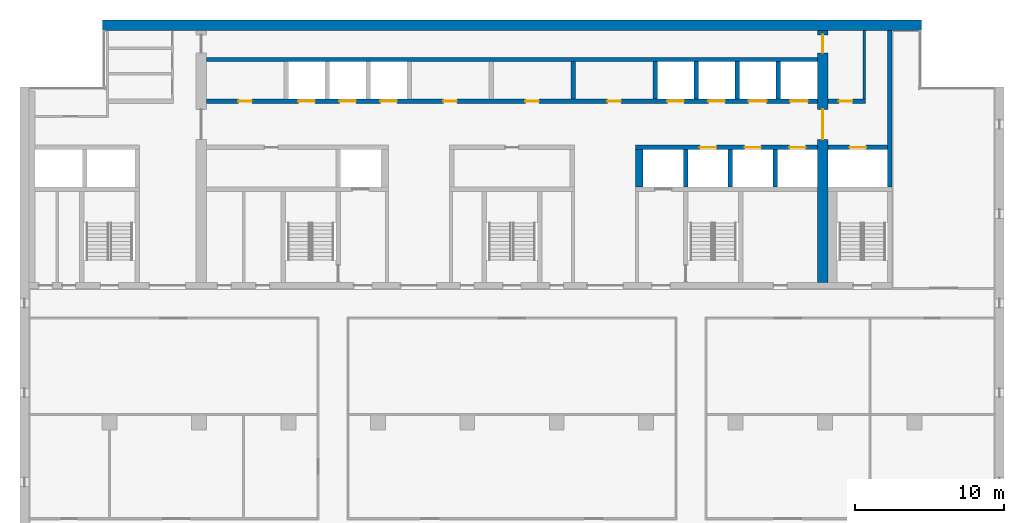
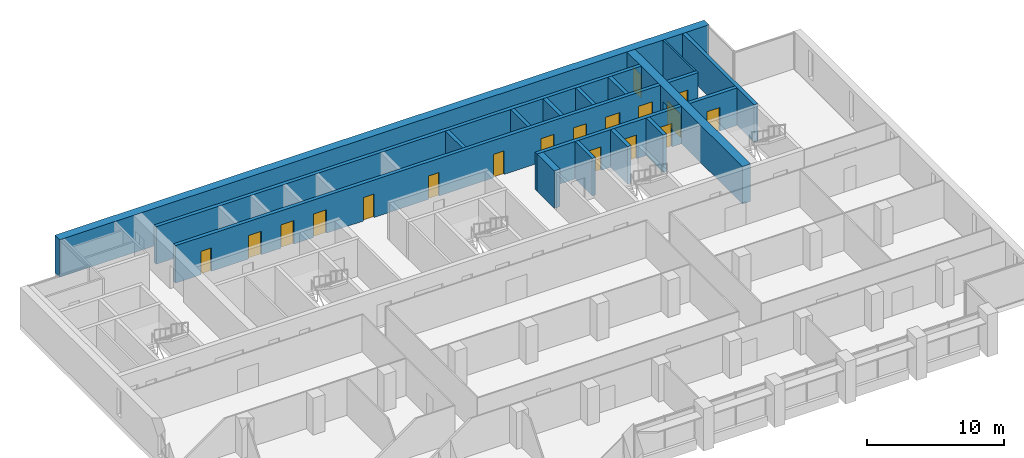
# One storey, part 11 of 17: 18 doors, 18 walls, 18 openings.
"""IFC4 building model written with IfcOpenShell, lengths in metres."""

from ifc_helpers import new_model, si_unit, direction, frame, frame_2d, origin, place, context, subcontext, project, spatial, rectangle, extrude, material, layer, layer_set, type_object, element, fill, save


model = new_model("IFC4")

# Units and contexts
model_context = context("Model", 3, precision=1e-05, world=origin(), true_north=direction((0.0, 1.0)))
body_context = subcontext(model_context, "Body", "Model", "MODEL_VIEW")
ifc_project = project(units=[si_unit("LENGTHUNIT", "METRE"), si_unit("AREAUNIT", "SQUARE_METRE"), si_unit("VOLUMEUNIT", "CUBIC_METRE"), si_unit("PLANEANGLEUNIT", "RADIAN"), si_unit("MASSUNIT", "GRAM", prefix="KILO")], contexts=[model_context])

# Site, building, storey
site_placement = place(None, origin())
site = spatial("IfcSite", under=ifc_project, at=site_placement, CompositionType="ELEMENT")
building_placement = place(site_placement, origin())
building = spatial("IfcBuilding", under=site, at=building_placement, Name="Calvaro Tower", CompositionType="ELEMENT")
storey_placement = place(building_placement, frame((0.0, 0.0, 211.75)))
storey = spatial("IfcBuildingStorey", under=building, at=storey_placement, Name="L53", CompositionType="ELEMENT", Elevation=211.75)

# Wall
ifc_material_1 = material(Name="Blockwork partition", Category="masonry")
ifc_layer_1 = layer(ifc_material_1, 0.14990234375)
ifc_layer_set_1 = layer_set([ifc_layer_1], Name="Blockwork partition")
wall_type_1 = type_object("IfcWallType", Name="Core partition 150 REI 120", PredefinedType="PARTITIONING", material=ifc_layer_set_1)
wall_1_placement = place(storey_placement, frame((62.625, 40.699951171875, 0.0), z_axis=(0.0, 0.0, 1.0), x_axis=(0.0, 1.0, 0.0)))
element("IfcWall", 1, at=wall_1_placement, inside=storey, type_object=wall_type_1, Name="Core partition", PredefinedType="PARTITIONING", context=body_context, shape_type="SweptSolid", body=[
    extrude(rectangle(XDim=4.60009765625, YDim=0.14990234375, at=frame_2d((2.300048828125, 0.0))), origin(), (0.0, 0.0, 1.0), 3.35009765625),
])

# Wall, opening, door
ifc_material_2 = material(Name="Blockwork partition", Category="masonry")
ifc_layer_2 = layer(ifc_material_2, 0.300048828125)
ifc_layer_set_2 = layer_set([ifc_layer_2], Name="Blockwork partition")
wall_type_2 = type_object("IfcWallType", Name="Core partition 300 REI 120", PredefinedType="PARTITIONING", material=ifc_layer_set_2)
wall_2_placement = place(storey_placement, frame((60.199951171875, 40.550048828125, 0.0), z_axis=(0.0, 0.0, 1.0), x_axis=(1.0, 0.0, 0.0)))
wall_2 = element("IfcWall", 2, at=wall_2_placement, inside=storey, type_object=wall_type_2, Name="Core partition", PredefinedType="PARTITIONING", context=body_context, shape_type="SweptSolid", body=[
    extrude(rectangle(XDim=2.5, YDim=0.300048828125, at=frame_2d((1.25, 0.0))), origin(), (0.0, 0.0, 1.0), 3.35009765625),
])
opening_1_placement = place(wall_2_placement, frame((0.72509765625, 0.0, 0.0)))
opening_1 = element("IfcOpeningElement", 3, at=opening_1_placement, cuts=wall_2, Name="Opening RD9C", PredefinedType="OPENING", context=body_context, shape_type="SweptSolid", body=[
    extrude(rectangle(XDim=0.89990234375, YDim=2.10009765625, at=frame_2d((0.449951171875, 1.050048828125))), frame((0.0, 0.159912109375, 0.0), z_axis=(0.0, -1.0, 0.0), x_axis=(1.0, 0.0, 0.0)), (0.0, 0.0, 1.0), 0.320068359375),
])
ifc_material_3 = material(Name="Steel door set", Category="steel")
door_type_1 = type_object("IfcDoorType", Name="Room door 900 FD30", OperationType="SINGLE_SWING_LEFT", PredefinedType="DOOR", material=ifc_material_3)
door_1_placement = place(opening_1_placement, origin())
door_1 = element("IfcDoor", 4, at=door_1_placement, inside=storey, type_object=door_type_1, Name="Room door", OperationType="SINGLE_SWING_LEFT", OverallHeight=2.10009765625, OverallWidth=0.89990234375, PredefinedType="DOOR", context=body_context, shape_type="SweptSolid", body=[
    extrude(rectangle(XDim=0.89990234375, YDim=2.10009765625, at=frame_2d((0.449951171875, 1.050048828125))), frame((0.0, 0.02490234375, 0.0), z_axis=(0.0, -1.0, 0.0), x_axis=(1.0, 0.0, 0.0)), (0.0, 0.0, 1.0), 0.050048828125),
])
fill(opening_1, door_1)

# Walls
wall_3_placement = place(storey_placement, frame((43.10009765625, 40.699951171875, 0.0), z_axis=(0.0, 0.0, 1.0), x_axis=(0.0, 1.0, 0.0)))
element("IfcWall", 5, at=wall_3_placement, inside=storey, type_object=wall_type_2, Name="Core partition", PredefinedType="PARTITIONING", context=body_context, shape_type="SweptSolid", body=[
    extrude(rectangle(XDim=2.5, YDim=0.300048828125, at=frame_2d((1.25, 0.0))), origin(), (0.0, 0.0, 1.0), 3.35009765625),
])
ifc_material_4 = material(Name="Concrete C50/60", Category="concrete")
ifc_layer_3 = layer(ifc_material_4, 0.300048828125)
ifc_layer_set_3 = layer_set([ifc_layer_3], Name="Concrete C50/60")
wall_type_3 = type_object("IfcWallType", Name="Core wall C50/60 300", PredefinedType="SHEAR", material=ifc_layer_set_3)
wall_4_placement = place(storey_placement, frame((64.35009765625, 34.800048828125, 0.0), z_axis=(0.0, 0.0, 1.0), x_axis=(0.0, 1.0, 0.0)))
element("IfcWall", 6, at=wall_4_placement, inside=storey, type_object=wall_type_3, Name="Core wall, boundary", PredefinedType="SHEAR", context=body_context, shape_type="SweptSolid", body=[
    extrude(rectangle(XDim=10.5, YDim=0.300048828125, at=frame_2d((5.25, 0.0))), origin(), (0.0, 0.0, 1.0), 3.35009765625),
])

# Wall, openings, doors
wall_5_placement = place(storey_placement, frame((47.300048828125, 37.449951171875, 0.0), z_axis=(0.0, 0.0, 1.0), x_axis=(1.0, 0.0, 0.0)))
wall_5 = element("IfcWall", 7, at=wall_5_placement, inside=storey, type_object=wall_type_3, Name="Core wall, lift shaft", PredefinedType="SHEAR", context=body_context, shape_type="SweptSolid", body=[
    extrude(rectangle(XDim=12.199951171875, YDim=0.300048828125, at=frame_2d((6.10009765625, 0.0))), origin(), (0.0, 0.0, 1.0), 3.35009765625),
])
opening_2_placement = place(wall_5_placement, frame((4.300048828125, 0.0, 0.0)))
opening_2 = element("IfcOpeningElement", 8, at=opening_2_placement, cuts=wall_5, Name="Opening HR1", PredefinedType="OPENING", context=body_context, shape_type="SweptSolid", body=[
    extrude(rectangle(XDim=1.10009765625, YDim=2.10009765625, at=frame_2d((0.550048828125, 1.050048828125))), frame((0.0, 0.159912109375, 0.0), z_axis=(0.0, -1.0, 0.0), x_axis=(1.0, 0.0, 0.0)), (0.0, 0.0, 1.0), 0.320068359375),
])
opening_3_placement = place(wall_5_placement, frame((7.300048828125, 0.0, 0.0)))
opening_3 = element("IfcOpeningElement", 9, at=opening_3_placement, cuts=wall_5, Name="Opening HR2", PredefinedType="OPENING", context=body_context, shape_type="SweptSolid", body=[
    extrude(rectangle(XDim=1.10009765625, YDim=2.10009765625, at=frame_2d((0.550048828125, 1.050048828125))), frame((0.0, 0.159912109375, 0.0), z_axis=(0.0, -1.0, 0.0), x_axis=(1.0, 0.0, 0.0)), (0.0, 0.0, 1.0), 0.320068359375),
])
opening_4_placement = place(wall_5_placement, frame((10.300048828125, 0.0, 0.0)))
opening_4 = element("IfcOpeningElement", 10, at=opening_4_placement, cuts=wall_5, Name="Opening HR3", PredefinedType="OPENING", context=body_context, shape_type="SweptSolid", body=[
    extrude(rectangle(XDim=1.10009765625, YDim=2.10009765625, at=frame_2d((0.550048828125, 1.050048828125))), frame((0.0, 0.159912109375, 0.0), z_axis=(0.0, -1.0, 0.0), x_axis=(1.0, 0.0, 0.0)), (0.0, 0.0, 1.0), 0.320068359375),
])
ifc_material_5 = material(Name="Stainless steel", Category="steel")
door_type_2 = type_object("IfcDoorType", Name="Landing door 1100 E 60", OperationType="SLIDING_TO_LEFT", PredefinedType="DOOR", material=ifc_material_5)
door_2_placement = place(opening_2_placement, origin())
door_2 = element("IfcDoor", 11, at=door_2_placement, inside=storey, type_object=door_type_2, Name="Landing door HR1", OperationType="SLIDING_TO_LEFT", OverallHeight=2.10009765625, OverallWidth=1.10009765625, PredefinedType="DOOR", context=body_context, shape_type="SweptSolid", body=[
    extrude(rectangle(XDim=1.10009765625, YDim=2.10009765625, at=frame_2d((0.550048828125, 1.050048828125))), frame((0.0, 0.02490234375, 0.0), z_axis=(0.0, -1.0, 0.0), x_axis=(1.0, 0.0, 0.0)), (0.0, 0.0, 1.0), 0.050048828125),
])
fill(opening_2, door_2)
door_3_placement = place(opening_3_placement, origin())
door_3 = element("IfcDoor", 12, at=door_3_placement, inside=storey, type_object=door_type_2, Name="Landing door HR2", OperationType="SLIDING_TO_LEFT", OverallHeight=2.10009765625, OverallWidth=1.10009765625, PredefinedType="DOOR", context=body_context, shape_type="SweptSolid", body=[
    extrude(rectangle(XDim=1.10009765625, YDim=2.10009765625, at=frame_2d((0.550048828125, 1.050048828125))), frame((0.0, 0.02490234375, 0.0), z_axis=(0.0, -1.0, 0.0), x_axis=(1.0, 0.0, 0.0)), (0.0, 0.0, 1.0), 0.050048828125),
])
fill(opening_3, door_3)
door_4_placement = place(opening_4_placement, origin())
door_4 = element("IfcDoor", 13, at=door_4_placement, inside=storey, type_object=door_type_2, Name="Landing door HR3", OperationType="SLIDING_TO_LEFT", OverallHeight=2.10009765625, OverallWidth=1.10009765625, PredefinedType="DOOR", context=body_context, shape_type="SweptSolid", body=[
    extrude(rectangle(XDim=1.10009765625, YDim=2.10009765625, at=frame_2d((0.550048828125, 1.050048828125))), frame((0.0, 0.02490234375, 0.0), z_axis=(0.0, -1.0, 0.0), x_axis=(1.0, 0.0, 0.0)), (0.0, 0.0, 1.0), 0.050048828125),
])
fill(opening_4, door_4)

# Wall, opening, door
wall_6_placement = place(storey_placement, frame((60.199951171875, 37.449951171875, 0.0), z_axis=(0.0, 0.0, 1.0), x_axis=(1.0, 0.0, 0.0)))
wall_6 = element("IfcWall", 14, at=wall_6_placement, inside=storey, type_object=wall_type_3, Name="Core wall, lift shaft", PredefinedType="SHEAR", context=body_context, shape_type="SweptSolid", body=[
    extrude(rectangle(XDim=4.0, YDim=0.300048828125, at=frame_2d((2.0, 0.0))), origin(), (0.0, 0.0, 1.0), 3.35009765625),
])
opening_5_placement = place(wall_6_placement, frame((1.449951171875, 0.0, 0.0)))
opening_5 = element("IfcOpeningElement", 15, at=opening_5_placement, cuts=wall_6, Name="Opening FF3", PredefinedType="OPENING", context=body_context, shape_type="SweptSolid", body=[
    extrude(rectangle(XDim=1.10009765625, YDim=2.10009765625, at=frame_2d((0.550048828125, 1.050048828125))), frame((0.0, 0.159912109375, 0.0), z_axis=(0.0, -1.0, 0.0), x_axis=(1.0, 0.0, 0.0)), (0.0, 0.0, 1.0), 0.320068359375),
])
door_5_placement = place(opening_5_placement, origin())
door_5 = element("IfcDoor", 16, at=door_5_placement, inside=storey, type_object=door_type_2, Name="Landing door FF3", OperationType="SLIDING_TO_LEFT", OverallHeight=2.10009765625, OverallWidth=1.10009765625, PredefinedType="DOOR", context=body_context, shape_type="SweptSolid", body=[
    extrude(rectangle(XDim=1.10009765625, YDim=2.10009765625, at=frame_2d((0.550048828125, 1.050048828125))), frame((0.0, 0.02490234375, 0.0), z_axis=(0.0, -1.0, 0.0), x_axis=(1.0, 0.0, 0.0)), (0.0, 0.0, 1.0), 0.050048828125),
])
fill(opening_5, door_5)

# Wall
wall_7_placement = place(storey_placement, frame((50.64990234375, 34.800048828125, 0.0), z_axis=(0.0, 0.0, 1.0), x_axis=(0.0, 1.0, 0.0)))
element("IfcWall", 17, at=wall_7_placement, inside=storey, type_object=wall_type_3, Name="Core wall, lift shaft", PredefinedType="SHEAR", context=body_context, shape_type="SweptSolid", body=[
    extrude(rectangle(XDim=2.5, YDim=0.300048828125, at=frame_2d((1.25, 0.0))), origin(), (0.0, 0.0, 1.0), 3.35009765625),
])

# Wall, openings, doors
wall_8_placement = place(storey_placement, frame((18.5, 40.550048828125, 0.0), z_axis=(0.0, 0.0, 1.0), x_axis=(1.0, 0.0, 0.0)))
wall_8 = element("IfcWall", 18, at=wall_8_placement, inside=storey, type_object=wall_type_3, Name="Core wall, bay", PredefinedType="SHEAR", context=body_context, shape_type="SweptSolid", body=[
    extrude(rectangle(XDim=41.0, YDim=0.300048828125, at=frame_2d((20.5, 0.0))), origin(), (0.0, 0.0, 1.0), 3.35009765625),
])
opening_6_placement = place(wall_8_placement, frame((2.14990234375, 0.0, 0.0)))
opening_6 = element("IfcOpeningElement", 19, at=opening_6_placement, cuts=wall_8, Name="Opening RD9C", PredefinedType="OPENING", context=body_context, shape_type="SweptSolid", body=[
    extrude(rectangle(XDim=0.89990234375, YDim=2.10009765625, at=frame_2d((0.449951171875, 1.050048828125))), frame((0.0, 0.159912109375, 0.0), z_axis=(0.0, -1.0, 0.0), x_axis=(1.0, 0.0, 0.0)), (0.0, 0.0, 1.0), 0.320068359375),
])
opening_7_placement = place(wall_8_placement, frame((15.89990234375, 0.0, 0.0)))
opening_7 = element("IfcOpeningElement", 20, at=opening_7_placement, cuts=wall_8, Name="Opening RD9E", PredefinedType="OPENING", context=body_context, shape_type="SweptSolid", body=[
    extrude(rectangle(XDim=0.89990234375, YDim=2.10009765625, at=frame_2d((0.449951171875, 1.050048828125))), frame((0.0, 0.159912109375, 0.0), z_axis=(0.0, -1.0, 0.0), x_axis=(1.0, 0.0, 0.0)), (0.0, 0.0, 1.0), 0.320068359375),
])
opening_8_placement = place(wall_8_placement, frame((21.39990234375, 0.0, 0.0)))
opening_8 = element("IfcOpeningElement", 21, at=opening_8_placement, cuts=wall_8, Name="Opening RD9C", PredefinedType="OPENING", context=body_context, shape_type="SweptSolid", body=[
    extrude(rectangle(XDim=0.89990234375, YDim=2.10009765625, at=frame_2d((0.449951171875, 1.050048828125))), frame((0.0, 0.159912109375, 0.0), z_axis=(0.0, -1.0, 0.0), x_axis=(1.0, 0.0, 0.0)), (0.0, 0.0, 1.0), 0.320068359375),
])
opening_9_placement = place(wall_8_placement, frame((26.89990234375, 0.0, 0.0)))
opening_9 = element("IfcOpeningElement", 22, at=opening_9_placement, cuts=wall_8, Name="Opening RD9E", PredefinedType="OPENING", context=body_context, shape_type="SweptSolid", body=[
    extrude(rectangle(XDim=0.89990234375, YDim=2.10009765625, at=frame_2d((0.449951171875, 1.050048828125))), frame((0.0, 0.159912109375, 0.0), z_axis=(0.0, -1.0, 0.0), x_axis=(1.0, 0.0, 0.0)), (0.0, 0.0, 1.0), 0.320068359375),
])
opening_10_placement = place(wall_8_placement, frame((6.175048828125, 0.0, 0.0)))
opening_10 = element("IfcOpeningElement", 23, at=opening_10_placement, cuts=wall_8, Name="Opening HR4", PredefinedType="OPENING", context=body_context, shape_type="SweptSolid", body=[
    extrude(rectangle(XDim=1.10009765625, YDim=2.10009765625, at=frame_2d((0.550048828125, 1.050048828125))), frame((0.0, 0.159912109375, 0.0), z_axis=(0.0, -1.0, 0.0), x_axis=(1.0, 0.0, 0.0)), (0.0, 0.0, 1.0), 0.320068359375),
])
opening_11_placement = place(wall_8_placement, frame((8.925048828125, 0.0, 0.0)))
opening_11 = element("IfcOpeningElement", 24, at=opening_11_placement, cuts=wall_8, Name="Opening HR5", PredefinedType="OPENING", context=body_context, shape_type="SweptSolid", body=[
    extrude(rectangle(XDim=1.10009765625, YDim=2.10009765625, at=frame_2d((0.550048828125, 1.050048828125))), frame((0.0, 0.159912109375, 0.0), z_axis=(0.0, -1.0, 0.0), x_axis=(1.0, 0.0, 0.0)), (0.0, 0.0, 1.0), 0.320068359375),
])
opening_12_placement = place(wall_8_placement, frame((11.675048828125, 0.0, 0.0)))
opening_12 = element("IfcOpeningElement", 25, at=opening_12_placement, cuts=wall_8, Name="Opening HR6", PredefinedType="OPENING", context=body_context, shape_type="SweptSolid", body=[
    extrude(rectangle(XDim=1.10009765625, YDim=2.10009765625, at=frame_2d((0.550048828125, 1.050048828125))), frame((0.0, 0.159912109375, 0.0), z_axis=(0.0, -1.0, 0.0), x_axis=(1.0, 0.0, 0.0)), (0.0, 0.0, 1.0), 0.320068359375),
])
opening_13_placement = place(wall_8_placement, frame((30.925048828125, 0.0, 0.0)))
opening_13 = element("IfcOpeningElement", 26, at=opening_13_placement, cuts=wall_8, Name="Opening HR7", PredefinedType="OPENING", context=body_context, shape_type="SweptSolid", body=[
    extrude(rectangle(XDim=1.10009765625, YDim=2.10009765625, at=frame_2d((0.550048828125, 1.050048828125))), frame((0.0, 0.159912109375, 0.0), z_axis=(0.0, -1.0, 0.0), x_axis=(1.0, 0.0, 0.0)), (0.0, 0.0, 1.0), 0.320068359375),
])
opening_14_placement = place(wall_8_placement, frame((33.675048828125, 0.0, 0.0)))
opening_14 = element("IfcOpeningElement", 27, at=opening_14_placement, cuts=wall_8, Name="Opening HR8", PredefinedType="OPENING", context=body_context, shape_type="SweptSolid", body=[
    extrude(rectangle(XDim=1.10009765625, YDim=2.10009765625, at=frame_2d((0.550048828125, 1.050048828125))), frame((0.0, 0.159912109375, 0.0), z_axis=(0.0, -1.0, 0.0), x_axis=(1.0, 0.0, 0.0)), (0.0, 0.0, 1.0), 0.320068359375),
])
opening_15_placement = place(wall_8_placement, frame((36.375, 0.0, 0.0)))
opening_15 = element("IfcOpeningElement", 28, at=opening_15_placement, cuts=wall_8, Name="Opening SV1", PredefinedType="OPENING", context=body_context, shape_type="SweptSolid", body=[
    extrude(rectangle(XDim=1.199951171875, YDim=2.10009765625, at=frame_2d((0.60009765625, 1.050048828125))), frame((0.0, 0.159912109375, 0.0), z_axis=(0.0, -1.0, 0.0), x_axis=(1.0, 0.0, 0.0)), (0.0, 0.0, 1.0), 0.320068359375),
])
opening_16_placement = place(wall_8_placement, frame((39.14990234375, 0.0, 0.0)))
opening_16 = element("IfcOpeningElement", 29, at=opening_16_placement, cuts=wall_8, Name="Opening SV2", PredefinedType="OPENING", context=body_context, shape_type="SweptSolid", body=[
    extrude(rectangle(XDim=1.199951171875, YDim=2.10009765625, at=frame_2d((0.60009765625, 1.050048828125))), frame((0.0, 0.159912109375, 0.0), z_axis=(0.0, -1.0, 0.0), x_axis=(1.0, 0.0, 0.0)), (0.0, 0.0, 1.0), 0.320068359375),
])
door_6_placement = place(opening_10_placement, origin())
door_6 = element("IfcDoor", 30, at=door_6_placement, inside=storey, type_object=door_type_2, Name="Landing door HR4", OperationType="SLIDING_TO_LEFT", OverallHeight=2.10009765625, OverallWidth=1.10009765625, PredefinedType="DOOR", context=body_context, shape_type="SweptSolid", body=[
    extrude(rectangle(XDim=1.10009765625, YDim=2.10009765625, at=frame_2d((0.550048828125, 1.050048828125))), frame((0.0, 0.02490234375, 0.0), z_axis=(0.0, -1.0, 0.0), x_axis=(1.0, 0.0, 0.0)), (0.0, 0.0, 1.0), 0.050048828125),
])
fill(opening_10, door_6)
door_7_placement = place(opening_11_placement, origin())
door_7 = element("IfcDoor", 31, at=door_7_placement, inside=storey, type_object=door_type_2, Name="Landing door HR5", OperationType="SLIDING_TO_LEFT", OverallHeight=2.10009765625, OverallWidth=1.10009765625, PredefinedType="DOOR", context=body_context, shape_type="SweptSolid", body=[
    extrude(rectangle(XDim=1.10009765625, YDim=2.10009765625, at=frame_2d((0.550048828125, 1.050048828125))), frame((0.0, 0.02490234375, 0.0), z_axis=(0.0, -1.0, 0.0), x_axis=(1.0, 0.0, 0.0)), (0.0, 0.0, 1.0), 0.050048828125),
])
fill(opening_11, door_7)
door_8_placement = place(opening_12_placement, origin())
door_8 = element("IfcDoor", 32, at=door_8_placement, inside=storey, type_object=door_type_2, Name="Landing door HR6", OperationType="SLIDING_TO_LEFT", OverallHeight=2.10009765625, OverallWidth=1.10009765625, PredefinedType="DOOR", context=body_context, shape_type="SweptSolid", body=[
    extrude(rectangle(XDim=1.10009765625, YDim=2.10009765625, at=frame_2d((0.550048828125, 1.050048828125))), frame((0.0, 0.02490234375, 0.0), z_axis=(0.0, -1.0, 0.0), x_axis=(1.0, 0.0, 0.0)), (0.0, 0.0, 1.0), 0.050048828125),
])
fill(opening_12, door_8)
door_9_placement = place(opening_13_placement, origin())
door_9 = element("IfcDoor", 33, at=door_9_placement, inside=storey, type_object=door_type_2, Name="Landing door HR7", OperationType="SLIDING_TO_LEFT", OverallHeight=2.10009765625, OverallWidth=1.10009765625, PredefinedType="DOOR", context=body_context, shape_type="SweptSolid", body=[
    extrude(rectangle(XDim=1.10009765625, YDim=2.10009765625, at=frame_2d((0.550048828125, 1.050048828125))), frame((0.0, 0.02490234375, 0.0), z_axis=(0.0, -1.0, 0.0), x_axis=(1.0, 0.0, 0.0)), (0.0, 0.0, 1.0), 0.050048828125),
])
fill(opening_13, door_9)
door_10_placement = place(opening_14_placement, origin())
door_10 = element("IfcDoor", 34, at=door_10_placement, inside=storey, type_object=door_type_2, Name="Landing door HR8", OperationType="SLIDING_TO_LEFT", OverallHeight=2.10009765625, OverallWidth=1.10009765625, PredefinedType="DOOR", context=body_context, shape_type="SweptSolid", body=[
    extrude(rectangle(XDim=1.10009765625, YDim=2.10009765625, at=frame_2d((0.550048828125, 1.050048828125))), frame((0.0, 0.02490234375, 0.0), z_axis=(0.0, -1.0, 0.0), x_axis=(1.0, 0.0, 0.0)), (0.0, 0.0, 1.0), 0.050048828125),
])
fill(opening_14, door_10)
ifc_material_6 = material(Name="Stainless steel", Category="steel")
door_type_3 = type_object("IfcDoorType", Name="Landing door 1200 E 60", OperationType="SLIDING_TO_LEFT", PredefinedType="DOOR", material=ifc_material_6)
door_11_placement = place(opening_15_placement, origin())
door_11 = element("IfcDoor", 35, at=door_11_placement, inside=storey, type_object=door_type_3, Name="Landing door SV1", OperationType="SLIDING_TO_LEFT", OverallHeight=2.10009765625, OverallWidth=1.199951171875, PredefinedType="DOOR", context=body_context, shape_type="SweptSolid", body=[
    extrude(rectangle(XDim=1.199951171875, YDim=2.10009765625, at=frame_2d((0.60009765625, 1.050048828125))), frame((0.0, 0.02490234375, 0.0), z_axis=(0.0, -1.0, 0.0), x_axis=(1.0, 0.0, 0.0)), (0.0, 0.0, 1.0), 0.050048828125),
])
fill(opening_15, door_11)
door_12_placement = place(opening_16_placement, origin())
door_12 = element("IfcDoor", 36, at=door_12_placement, inside=storey, type_object=door_type_3, Name="Landing door SV2", OperationType="SLIDING_TO_LEFT", OverallHeight=2.10009765625, OverallWidth=1.199951171875, PredefinedType="DOOR", context=body_context, shape_type="SweptSolid", body=[
    extrude(rectangle(XDim=1.199951171875, YDim=2.10009765625, at=frame_2d((0.60009765625, 1.050048828125))), frame((0.0, 0.02490234375, 0.0), z_axis=(0.0, -1.0, 0.0), x_axis=(1.0, 0.0, 0.0)), (0.0, 0.0, 1.0), 0.050048828125),
])
fill(opening_16, door_12)
door_13_placement = place(opening_6_placement, origin())
door_13 = element("IfcDoor", 37, at=door_13_placement, inside=storey, type_object=door_type_1, Name="Room door", OperationType="SINGLE_SWING_RIGHT", OverallHeight=2.10009765625, OverallWidth=0.89990234375, PredefinedType="DOOR", context=body_context, shape_type="SweptSolid", body=[
    extrude(rectangle(XDim=0.89990234375, YDim=2.10009765625, at=frame_2d((0.449951171875, 1.050048828125))), frame((0.0, 0.02490234375, 0.0), z_axis=(0.0, -1.0, 0.0), x_axis=(1.0, 0.0, 0.0)), (0.0, 0.0, 1.0), 0.050048828125),
])
fill(opening_6, door_13)
door_14_placement = place(opening_8_placement, origin())
door_14 = element("IfcDoor", 38, at=door_14_placement, inside=storey, type_object=door_type_1, Name="Room door", OperationType="SINGLE_SWING_LEFT", OverallHeight=2.10009765625, OverallWidth=0.89990234375, PredefinedType="DOOR", context=body_context, shape_type="SweptSolid", body=[
    extrude(rectangle(XDim=0.89990234375, YDim=2.10009765625, at=frame_2d((0.449951171875, 1.050048828125))), frame((0.0, 0.02490234375, 0.0), z_axis=(0.0, -1.0, 0.0), x_axis=(1.0, 0.0, 0.0)), (0.0, 0.0, 1.0), 0.050048828125),
])
fill(opening_8, door_14)
ifc_material_7 = material(Name="Steel door set", Category="steel")
door_type_4 = type_object("IfcDoorType", Name="Room door 900 FD60", OperationType="SINGLE_SWING_LEFT", PredefinedType="DOOR", material=ifc_material_7)
door_15_placement = place(opening_7_placement, origin())
door_15 = element("IfcDoor", 39, at=door_15_placement, inside=storey, type_object=door_type_4, Name="Room door", OperationType="SINGLE_SWING_LEFT", OverallHeight=2.10009765625, OverallWidth=0.89990234375, PredefinedType="DOOR", context=body_context, shape_type="SweptSolid", body=[
    extrude(rectangle(XDim=0.89990234375, YDim=2.10009765625, at=frame_2d((0.449951171875, 1.050048828125))), frame((0.0, 0.02490234375, 0.0), z_axis=(0.0, -1.0, 0.0), x_axis=(1.0, 0.0, 0.0)), (0.0, 0.0, 1.0), 0.050048828125),
])
fill(opening_7, door_15)
door_16_placement = place(opening_9_placement, origin())
door_16 = element("IfcDoor", 40, at=door_16_placement, inside=storey, type_object=door_type_4, Name="Room door", OperationType="SINGLE_SWING_LEFT", OverallHeight=2.10009765625, OverallWidth=0.89990234375, PredefinedType="DOOR", context=body_context, shape_type="SweptSolid", body=[
    extrude(rectangle(XDim=0.89990234375, YDim=2.10009765625, at=frame_2d((0.449951171875, 1.050048828125))), frame((0.0, 0.02490234375, 0.0), z_axis=(0.0, -1.0, 0.0), x_axis=(1.0, 0.0, 0.0)), (0.0, 0.0, 1.0), 0.050048828125),
])
fill(opening_9, door_16)

# Walls
wall_9_placement = place(storey_placement, frame((18.5, 43.35009765625, 0.0), z_axis=(0.0, 0.0, 1.0), x_axis=(1.0, 0.0, 0.0)))
element("IfcWall", 41, at=wall_9_placement, inside=storey, type_object=wall_type_3, Name="Core wall, lift shaft", PredefinedType="SHEAR", context=body_context, shape_type="SweptSolid", body=[
    extrude(rectangle(XDim=41.0, YDim=0.300048828125, at=frame_2d((20.5, 0.0))), origin(), (0.0, 0.0, 1.0), 3.35009765625),
])
for number, where, z_axis, x_axis, name in (
    (42, (53.64990234375, 34.800048828125, 0.0), (0.0, 0.0, 1.0), (0.0, 1.0, 0.0), "Core wall, lift shaft"),
    (43, (56.64990234375, 34.800048828125, 0.0), (0.0, 0.0, 1.0), (0.0, 1.0, 0.0), "Core wall, lift shaft"),
    (44, (48.60009765625, 40.699951171875, 0.0), (0.0, 0.0, 1.0), (0.0, 1.0, 0.0), "Core wall, lift shaft"),
    (45, (51.35009765625, 40.699951171875, 0.0), (0.0, 0.0, 1.0), (0.0, 1.0, 0.0), "Core wall, lift shaft"),
    (46, (54.10009765625, 40.699951171875, 0.0), (0.0, 0.0, 1.0), (0.0, 1.0, 0.0), "Core wall, lift shaft"),
    (47, (56.85009765625, 40.699951171875, 0.0), (0.0, 0.0, 1.0), (0.0, 1.0, 0.0), "Core wall, lift shaft"),
):
    element("IfcWall", number, at=place(storey_placement, frame(where, z_axis=z_axis, x_axis=x_axis)), inside=storey, type_object=wall_type_3, Name=name, PredefinedType="SHEAR", context=body_context, shape_type="SweptSolid", body=[
        extrude(rectangle(XDim=2.5, YDim=0.300048828125, at=frame_2d((1.25, 0.0))), origin(), (0.0, 0.0, 1.0), 3.35009765625),
    ])
ifc_material_8 = material(Name="Concrete C50/60", Category="concrete")
ifc_layer_4 = layer(ifc_material_8, 0.5)
ifc_layer_set_4 = layer_set([ifc_layer_4], Name="Concrete C50/60")
wall_type_4 = type_object("IfcWallType", Name="Core wall C50/60 500", PredefinedType="SHEAR", material=ifc_layer_set_4)
wall_10_placement = place(storey_placement, frame((47.550048828125, 34.800048828125, 0.0), z_axis=(0.0, 0.0, 1.0), x_axis=(0.0, 1.0, 0.0)))
element("IfcWall", 48, at=wall_10_placement, inside=storey, type_object=wall_type_4, Name="Core wall, lift shaft", PredefinedType="SHEAR", context=body_context, shape_type="SweptSolid", body=[
    extrude(rectangle(XDim=2.5, YDim=0.5, at=frame_2d((1.25, 0.0))), origin(), (0.0, 0.0, 1.0), 3.35009765625),
])

# Wall, openings, doors
ifc_material_9 = material(Name="Concrete C50/60", Category="concrete")
ifc_layer_5 = layer(ifc_material_9, 0.699951171875)
ifc_layer_set_5 = layer_set([ifc_layer_5], Name="Concrete C50/60")
wall_type_5 = type_object("IfcWallType", Name="Core wall C50/60 700", PredefinedType="SHEAR", material=ifc_layer_set_5)
wall_11_placement = place(storey_placement, frame((59.85009765625, 28.39990234375, 0.0), z_axis=(0.0, 0.0, 1.0), x_axis=(0.0, 1.0, 0.0)))
wall_11 = element("IfcWall", 49, at=wall_11_placement, inside=storey, type_object=wall_type_5, Name="Core wall, cross shear wall", PredefinedType="SHEAR", context=body_context, shape_type="SweptSolid", body=[
    extrude(rectangle(XDim=16.900146484375, YDim=0.699951171875, at=frame_2d((8.4501953125, 0.0))), origin(), (0.0, 0.0, 1.0), 3.35009765625),
])
opening_17_placement = place(wall_11_placement, frame((9.60009765625, 0.0, 0.0)))
opening_17 = element("IfcOpeningElement", 50, at=opening_17_placement, cuts=wall_11, Name="Opening DD20D", PredefinedType="OPENING", context=body_context, shape_type="SweptSolid", body=[
    extrude(rectangle(XDim=2.0, YDim=2.10009765625, at=frame_2d((1.0, 1.050048828125))), frame((0.0, 0.35986328125, 0.0), z_axis=(0.0, -1.0, 0.0), x_axis=(1.0, 0.0, 0.0)), (0.0, 0.0, 1.0), 0.719970703125),
])
opening_18_placement = place(wall_11_placement, frame((15.39990234375, 0.0, 0.0)))
opening_18 = element("IfcOpeningElement", 51, at=opening_18_placement, cuts=wall_11, Name="Opening FD12C", PredefinedType="OPENING", context=body_context, shape_type="SweptSolid", body=[
    extrude(rectangle(XDim=1.199951171875, YDim=2.10009765625, at=frame_2d((0.60009765625, 1.050048828125))), frame((0.0, 0.35986328125, 0.0), z_axis=(0.0, -1.0, 0.0), x_axis=(1.0, 0.0, 0.0)), (0.0, 0.0, 1.0), 0.719970703125),
])
ifc_material_10 = material(Name="Steel door set", Category="steel")
door_type_5 = type_object("IfcDoorType", Name="Fire door 1200 FD30", OperationType="SINGLE_SWING_LEFT", PredefinedType="DOOR", material=ifc_material_10)
door_17_placement = place(opening_18_placement, origin())
door_17 = element("IfcDoor", 52, at=door_17_placement, inside=storey, type_object=door_type_5, Name="Fire door", OperationType="SINGLE_SWING_LEFT", OverallHeight=2.10009765625, OverallWidth=1.199951171875, PredefinedType="DOOR", context=body_context, shape_type="SweptSolid", body=[
    extrude(rectangle(XDim=1.199951171875, YDim=2.10009765625, at=frame_2d((0.60009765625, 1.050048828125))), frame((0.0, 0.02490234375, 0.0), z_axis=(0.0, -1.0, 0.0), x_axis=(1.0, 0.0, 0.0)), (0.0, 0.0, 1.0), 0.050048828125),
])
fill(opening_18, door_17)
ifc_material_11 = material(Name="Steel door set", Category="steel")
door_type_6 = type_object("IfcDoorType", Name="Lobby double door 2000 FD30S", OperationType="DOUBLE_DOOR_SINGLE_SWING", PredefinedType="DOOR", material=ifc_material_11)
door_18_placement = place(opening_17_placement, origin())
door_18 = element("IfcDoor", 53, at=door_18_placement, inside=storey, type_object=door_type_6, Name="Lobby double door", OperationType="DOUBLE_DOOR_SINGLE_SWING", OverallHeight=2.10009765625, OverallWidth=2.0, PredefinedType="DOOR", context=body_context, shape_type="SweptSolid", body=[
    extrude(rectangle(XDim=2.0, YDim=2.10009765625, at=frame_2d((1.0, 1.050048828125))), frame((0.0, 0.02490234375, 0.0), z_axis=(0.0, -1.0, 0.0), x_axis=(1.0, 0.0, 0.0)), (0.0, 0.0, 1.0), 0.050048828125),
])
fill(opening_17, door_18)

# Wall
ifc_material_12 = material(Name="Concrete C50/60", Category="concrete")
ifc_layer_6 = layer(ifc_material_12, 0.699951171875)
ifc_layer_set_6 = layer_set([ifc_layer_6], Name="Concrete C50/60")
wall_type_6 = type_object("IfcWallType", Name="Rear core wall 700 C50/60", PredefinedType="SHEAR", material=ifc_layer_set_6)
wall_12_placement = place(storey_placement, frame((11.550048828125, 45.64990234375, 0.0), z_axis=(0.0, 0.0, 1.0), x_axis=(1.0, 0.0, 0.0)))
element("IfcWall", 54, at=wall_12_placement, inside=storey, type_object=wall_type_6, Name="North core wall", PredefinedType="SHEAR", context=body_context, shape_type="SweptSolid", body=[
    extrude(rectangle(XDim=54.89990234375, YDim=0.699951171875, at=frame_2d((27.449951171875, 0.0))), origin(), (0.0, 0.0, 1.0), 3.35009765625),
])

save(model, "model.ifc")
